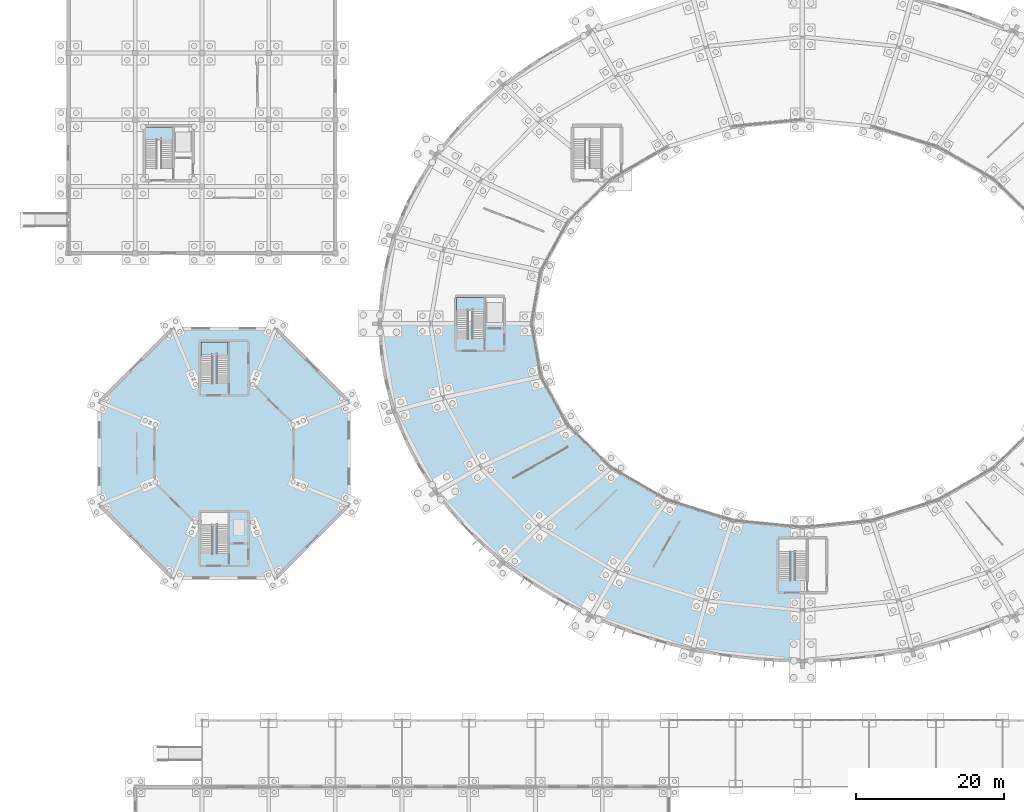
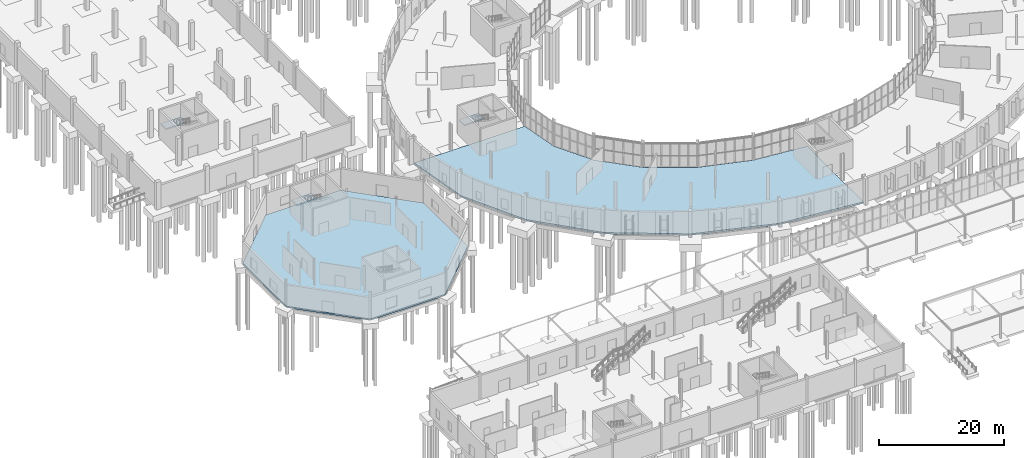
# One storey, part 71 of 118: 5 slabs, 3 elements without a shape of their own.
"""IFC4 building model written with IfcOpenShell, lengths in metres."""

import ifcopenshell
import ifcopenshell.guid

model = None  # the IFC model being written
_history = None  # IfcOwnerHistory: only IFC2X3 demands one
_inside = {}  # id of a spatial element -> (the spatial element, [elements in it])
_under = {}  # id of a project, library or spatial element -> (it, [spatial elements below it])
_declared = {}  # id of a project -> (the project, [libraries it declares])
_typed = {}  # id of a type object -> (the type object, [elements of that type])
_made_of = {}  # id of a material, layer set ... -> (it, [elements and type objects made of it])


def new_model(schema):
    """Start an empty IFC model of exactly this schema.

    Asked for "IFC4X3", IfcOpenShell would pick the latest addendum, in which some entities
    have other attributes; the version numbers below select the first issue.
    IFC2X3 requires an IfcOwnerHistory on every rooted entity: one is made here for all.
    """
    global model, _history
    if schema == "IFC4X3":
        model = ifcopenshell.file(schema_version=(4, 3, 0, 0))
    else:
        model = ifcopenshell.file(schema=schema)
    _inside.clear()
    _under.clear()
    _declared.clear()
    _typed.clear()
    _made_of.clear()
    _history = None
    if model.schema == "IFC2X3":
        org = make("IfcOrganization", Name="unknown")
        user = make(
            "IfcPersonAndOrganization",
            ThePerson=make("IfcPerson", FamilyName="unknown"),
            TheOrganization=org,
        )
        app = make(
            "IfcApplication",
            ApplicationDeveloper=org,
            Version="unknown",
            ApplicationFullName="unknown",
            ApplicationIdentifier="unknown",
        )
        _history = make(
            "IfcOwnerHistory",
            OwningUser=user,
            OwningApplication=app,
            ChangeAction="ADDED",
            CreationDate=0,
        )
    return model


def make(cls, **values):
    """One entity of the class cls with the attributes given. An attribute that is None is left unset."""
    return model.create_entity(
        cls, **{name: value for name, value in values.items() if value is not None}
    )


def rooted(cls, **values):
    """An entity with a GlobalId (a new one), such as an element, a storey or a relation."""
    return make(cls, GlobalId=ifcopenshell.guid.new(), OwnerHistory=_history, **values)


def si_unit(unit_type, name, prefix=None):
    """IfcSIUnit, for example si_unit("LENGTHUNIT", "METRE", prefix="MILLI")."""
    return make("IfcSIUnit", UnitType=unit_type, Prefix=prefix, Name=name)


def assignment(units):
    """IfcUnitAssignment: the units of a project."""
    return None if units is None else make("IfcUnitAssignment", Units=units)


def point(xyz):
    """IfcCartesianPoint."""
    return None if xyz is None else make("IfcCartesianPoint", Coordinates=xyz)


def direction(xyz):
    """IfcDirection."""
    return None if xyz is None else make("IfcDirection", DirectionRatios=xyz)


def frame(location, z_axis=None, x_axis=None):
    """IfcAxis2Placement3D, a coordinate frame: its origin and axes. An axis left out is left unset."""
    return make(
        "IfcAxis2Placement3D",
        Location=point(location),
        Axis=direction(z_axis),
        RefDirection=direction(x_axis),
    )


def origin():
    """The frame at (0, 0, 0) with its axes left unset."""
    return frame((0.0, 0.0, 0.0))


def place(relative_to, where):
    """IfcLocalPlacement: puts the frame where relative to a parent placement (None: the world)."""
    return make(
        "IfcLocalPlacement", PlacementRelTo=relative_to, RelativePlacement=where
    )


def context(
    kind, dimensions, precision=None, world=None, true_north=None, identifier=None
):
    """IfcGeometricRepresentationContext, for example the 3D "Model" context."""
    return make(
        "IfcGeometricRepresentationContext",
        ContextIdentifier=identifier,
        ContextType=kind,
        CoordinateSpaceDimension=dimensions,
        Precision=precision,
        WorldCoordinateSystem=world,
        TrueNorth=true_north,
    )


def subcontext(parent, identifier, kind, view, scale=None):
    """IfcGeometricRepresentationSubContext, for example "Body" below "Model"."""
    return make(
        "IfcGeometricRepresentationSubContext",
        ContextIdentifier=identifier,
        ContextType=kind,
        ParentContext=parent,
        TargetScale=scale,
        TargetView=view,
    )


def project(units=None, contexts=None):
    """IfcProject with its units and contexts."""
    return rooted(
        "IfcProject",
        Name="project",
        RepresentationContexts=contexts,
        UnitsInContext=assignment(units),
    )


def spatial(cls, under=None, at=None, **own):
    """A site, building, storey or space (cls), placed at a placement, below another one or the project."""
    s = rooted(cls, ObjectPlacement=at, **own)
    if under is not None:
        _under.setdefault(under.id(), (under, []))[1].append(s)
    return s


def polyline(points):
    """IfcPolyline through the points."""
    return make("IfcPolyline", Points=[point(p) for p in points])


def outline(outer, holes=None, kind="AREA"):
    """IfcArbitraryClosedProfileDef: a profile drawn as a closed curve; with holes, ...WithVoids."""
    if holes is None:
        return make("IfcArbitraryClosedProfileDef", ProfileType=kind, OuterCurve=outer)
    return make(
        "IfcArbitraryProfileDefWithVoids",
        ProfileType=kind,
        OuterCurve=outer,
        InnerCurves=holes,
    )


def extrude(swept, where, along, depth):
    """IfcExtrudedAreaSolid: the profile swept, set in the frame where, extruded along a direction by depth."""
    return make(
        "IfcExtrudedAreaSolid",
        SweptArea=swept,
        Position=where,
        ExtrudedDirection=direction(along),
        Depth=depth,
    )


def shape(context_of_items, identifier, shape_type, items):
    """IfcShapeRepresentation: the items that make up one representation, for example the "Body"."""
    return make(
        "IfcShapeRepresentation",
        ContextOfItems=context_of_items,
        RepresentationIdentifier=identifier,
        RepresentationType=shape_type,
        Items=items,
    )


def material(Name=None, Category=None):
    """IfcMaterial."""
    return make("IfcMaterial", Name=Name, Category=Category)


def layer(
    of_material, thickness, ventilated=None, Name=None, Category=None, Priority=None
):
    """IfcMaterialLayer: one layer of a wall or slab, of a material (None: an air gap)."""
    return make(
        "IfcMaterialLayer",
        Material=of_material,
        LayerThickness=thickness,
        IsVentilated=ventilated,
        Name=Name,
        Category=Category,
        Priority=Priority,
    )


def layer_set(layers, Name=None):
    """IfcMaterialLayerSet."""
    return make("IfcMaterialLayerSet", MaterialLayers=layers, LayerSetName=Name)


def made_of(thing, what):
    """Note that an element or type object is made of a material, layer set ...; save() writes the relation."""
    if what is not None:
        _made_of.setdefault(what.id(), (what, []))[1].append(thing)
    return thing


def type_object(cls, material=None, **own):
    """A type object (cls), such as IfcWallType, which elements share."""
    return made_of(rooted(cls, **own), material)


def element(
    cls,
    number,
    at=None,
    inside=None,
    cuts=None,
    type_object=None,
    material=None,
    context=None,
    identifier="Body",
    shape_type=None,
    held_by="IfcProductDefinitionShape",
    body=None,
    shapes=None,
    **own,
):
    """One element of the class cls, such as IfcWall. Its Tag is "e" and its number.

    at: its placement. inside: the storey or other place that contains it. cuts: it is an
    opening in that element (IfcRelVoidsElement). A single representation is given by context,
    identifier, shape_type and body (its items); several are given by shapes. held_by: the class
    of the entity that holds the representations. save() writes the other relations.
    """
    e = rooted(cls, Tag="e%d" % number, ObjectPlacement=at, **own)
    if body is not None:
        shapes = [shape(context, identifier, shape_type, body)]
    if shapes is not None:
        e.Representation = make(held_by, Representations=shapes)
    if inside is not None:
        _inside.setdefault(inside.id(), (inside, []))[1].append(e)
    if cuts is not None:
        rooted(
            "IfcRelVoidsElement", RelatingBuildingElement=cuts, RelatedOpeningElement=e
        )
    if type_object is not None:
        _typed.setdefault(type_object.id(), (type_object, []))[1].append(e)
    return made_of(e, material)


def aggregate(whole, parts):
    """IfcRelAggregates: a whole, such as a stair, and the parts it consists of."""
    return rooted("IfcRelAggregates", RelatingObject=whole, RelatedObjects=parts)


def save(model, path):
    """Write the relations noted so far, then the file.

    IfcRelAggregates (storeys below a building ...), IfcRelContainedInSpatialStructure (elements
    in a storey), IfcRelDefinesByType, IfcRelAssociatesMaterial and IfcRelDeclares: one each for
    every whole, place, type object, material and project.
    """
    for whole, parts in _under.values():
        aggregate(whole, parts)
    for where, things in _inside.values():
        rooted(
            "IfcRelContainedInSpatialStructure",
            RelatedElements=things,
            RelatingStructure=where,
        )
    for kind, things in _typed.values():
        rooted("IfcRelDefinesByType", RelatedObjects=things, RelatingType=kind)
    for what, things in _made_of.values():
        rooted("IfcRelAssociatesMaterial", RelatedObjects=things, RelatingMaterial=what)
    for by, libraries in _declared.values():
        rooted("IfcRelDeclares", RelatingContext=by, RelatedDefinitions=libraries)
    model.write(path)


model = new_model("IFC4")

# Units and contexts
model_context = context("Model", 3, precision=1e-05, world=origin(), true_north=direction((0.0, 1.0)))
body_context = subcontext(model_context, "Body", "Model", "MODEL_VIEW")
ifc_project = project(units=[si_unit("LENGTHUNIT", "METRE"), si_unit("AREAUNIT", "SQUARE_METRE"), si_unit("VOLUMEUNIT", "CUBIC_METRE"), si_unit("PLANEANGLEUNIT", "RADIAN"), si_unit("MASSUNIT", "GRAM", prefix="KILO")], contexts=[model_context])

# Site, building, storey
site_placement = place(None, origin())
site = spatial("IfcSite", under=ifc_project, at=site_placement, CompositionType="ELEMENT")
building_placement = place(site_placement, origin())
building = spatial("IfcBuilding", under=site, at=building_placement, Name="Kildeholm Park Wholesale Market", CompositionType="ELEMENT")
storey_placement = place(building_placement, origin())
storey = spatial("IfcBuildingStorey", under=building, at=storey_placement, Name="L00", CompositionType="ELEMENT", Elevation=0.0)

# Slabs
ifc_material = material(Name="Concrete C35/45", Category="concrete")
ifc_layer_1 = layer(ifc_material, 0.300048828125)
ifc_layer_set_1 = layer_set([ifc_layer_1], Name="Concrete C35/45")
slab_type_1 = type_object("IfcSlabType", Name="Slab S-BS1 300 mm", PredefinedType="BASESLAB", material=ifc_layer_set_1)
slab_1_placement = place(storey_placement, frame((0.0, 0.0, -0.300048828125)))
element("IfcSlab", 1, at=slab_1_placement, inside=storey, type_object=slab_type_1, Name="Produce hall ground slab quadrant 3 SLB-0007", PredefinedType="BASESLAB", context=body_context, shape_type="SweptSolid", body=[
    extrude(outline(polyline([(42.0, 89.5), (43.94189453125, 77.72412109375), (49.636962890625, 66.75), (58.695068359375, 57.326904296875), (70.5, 50.095947265625), (84.2470703125, 45.550048828125), (99.0, 44.0), (99.0, 62.0), (89.552978515625, 62.93701171875), (80.75, 65.68408203125), (73.19091796875, 70.054931640625), (67.389892578125, 75.75), (63.743896484375, 82.382080078125), (62.5, 89.5), (42.0, 89.5)])), origin(), (0.0, 0.0, 1.0), 0.300048828125),
])
slab_2_placement = place(storey_placement, frame((0.0, 0.0, -0.300048828125)))
element("IfcSlab", 2, at=slab_2_placement, inside=storey, type_object=slab_type_1, Name="Wholesale auction pavilion ground slab SLB-0339", PredefinedType="BASESLAB", context=body_context, shape_type="SweptSolid", body=[
    extrude(outline(polyline([(37.81494140625, 78.965087890625), (27.965087890625, 88.81494140625), (14.034912109375, 88.81494140625), (4.18505859375, 78.965087890625), (4.18505859375, 65.034912109375), (14.034912109375, 55.18505859375), (27.965087890625, 55.18505859375), (37.81494140625, 65.034912109375), (37.81494140625, 78.965087890625)])), origin(), (0.0, 0.0, 1.0), 0.300048828125),
])

# Stair, slab
stair_type = type_object("IfcStairType", Name="Protected core escape stair ST-CR1", PredefinedType="HALF_TURN_STAIR", material=ifc_material)
stair_1_placement = place(storey_placement, origin())
stair_1 = element("IfcStair", 3, at=stair_1_placement, inside=storey, type_object=stair_type, Name="Escape stair C01 L00 STR-0001", PredefinedType="HALF_TURN_STAIR")
ifc_layer_2 = layer(ifc_material, 0.239990234375)
ifc_layer_set_2 = layer_set([ifc_layer_2], Name="Concrete C35/45")
slab_type_2 = type_object("IfcSlabType", Name="Stair landing slab S-LD1 240 mm", PredefinedType="LANDING", material=ifc_layer_set_2)
slab_3_placement = place(storey_placement, frame((0.0, 0.0, 2.4599609375)))
slab_3 = element("IfcSlab", 4, at=slab_3_placement, type_object=slab_type_2, Name="ST-01-00 landing 1 SLB-0405", PredefinedType="LANDING", context=body_context, shape_type="SweptSolid", body=[
    extrude(outline(polyline([(10.35009765625, 114.300048828125), (14.030029296875, 114.320068359375), (14.030029296875, 116.050048828125), (10.35009765625, 116.050048828125), (10.35009765625, 114.300048828125)])), origin(), (0.0, 0.0, 1.0), 0.239990234375),
])
aggregate(stair_1, [slab_3])

stair_2_placement = place(storey_placement, origin())
stair_2 = element("IfcStair", 5, at=stair_2_placement, inside=storey, type_object=stair_type, Name="Escape stair C09 L00 STR-0022", PredefinedType="HALF_TURN_STAIR")
slab_4_placement = place(storey_placement, frame((0.0, 0.0, 2.4599609375)))
slab_4 = element("IfcSlab", 6, at=slab_4_placement, type_object=slab_type_2, Name="ST-09-00 landing 1 SLB-0452", PredefinedType="LANDING", context=body_context, shape_type="SweptSolid", body=[
    extrude(outline(polyline([(52.35009765625, 91.300048828125), (56.030029296875, 91.320068359375), (56.030029296875, 93.050048828125), (52.35009765625, 93.050048828125), (52.35009765625, 91.300048828125)])), origin(), (0.0, 0.0, 1.0), 0.239990234375),
])
aggregate(stair_2, [slab_4])

stair_3_placement = place(storey_placement, origin())
stair_3 = element("IfcStair", 7, at=stair_3_placement, inside=storey, type_object=stair_type, Name="Escape stair C15 L00 STR-0033", PredefinedType="HALF_TURN_STAIR")
slab_5_placement = place(storey_placement, frame((0.0, 0.0, 2.4599609375)))
slab_5 = element("IfcSlab", 8, at=slab_5_placement, type_object=slab_type_2, Name="ST-15-00 landing 1 SLB-0485", PredefinedType="LANDING", context=body_context, shape_type="SweptSolid", body=[
    extrude(outline(polyline([(17.85009765625, 85.300048828125), (21.530029296875, 85.320068359375), (21.530029296875, 87.050048828125), (17.85009765625, 87.050048828125), (17.85009765625, 85.300048828125)])), origin(), (0.0, 0.0, 1.0), 0.239990234375),
])
aggregate(stair_3, [slab_5])

save(model, "model.ifc")
